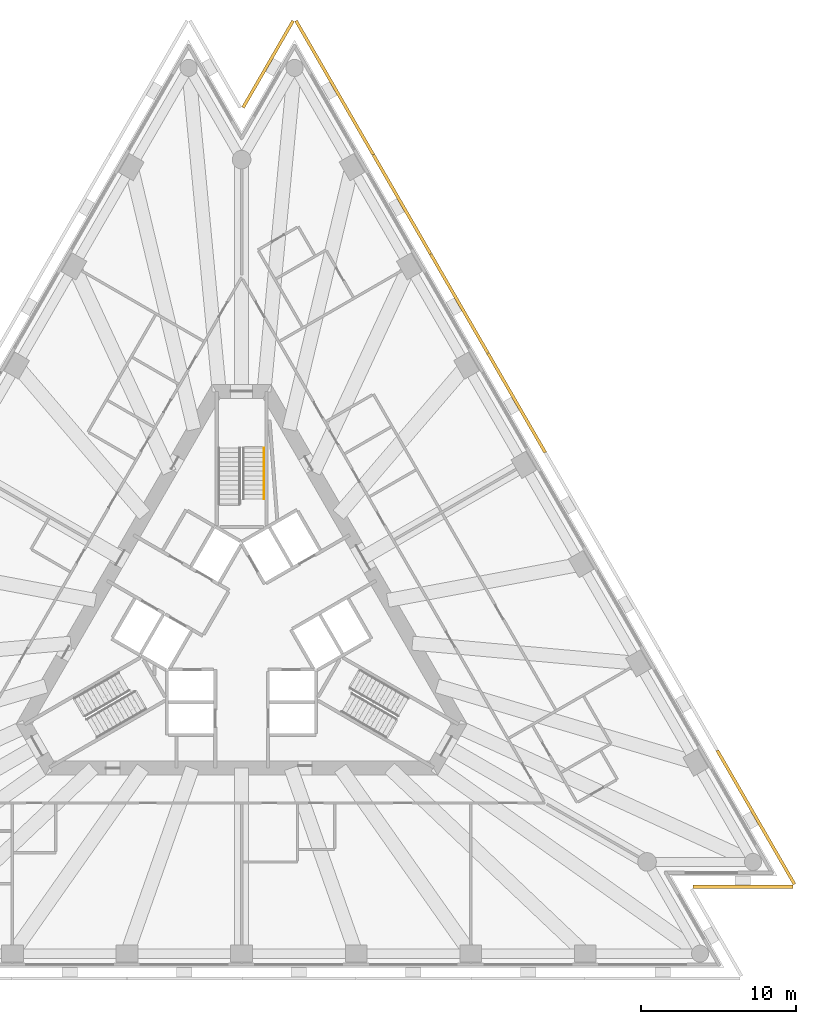
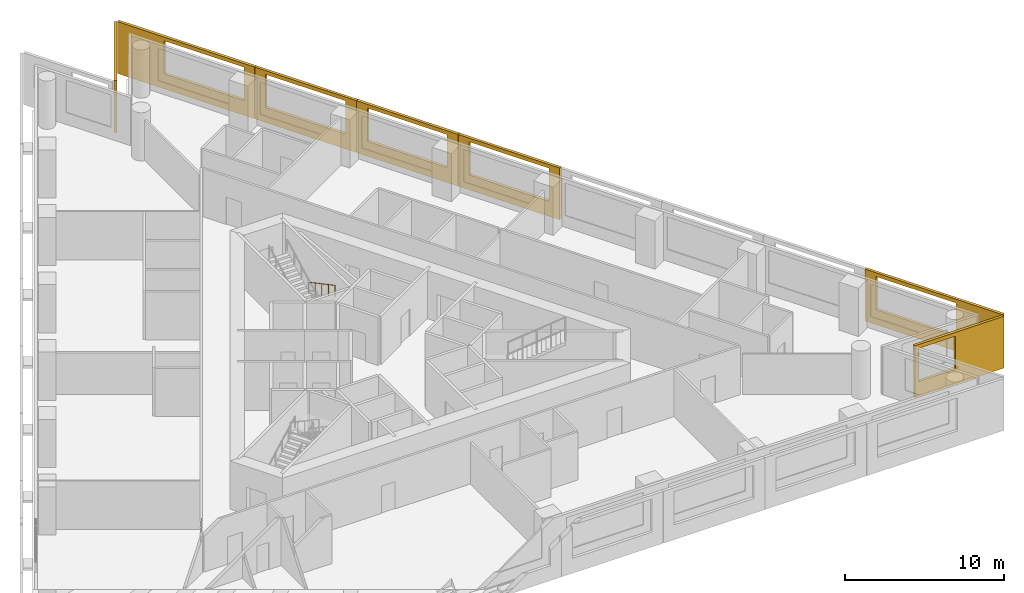
# One storey, part 11 of 11: 7 shading devices, 1 railing, 1 element without a shape of its own.
"""IFC4 building model written with IfcOpenShell, lengths in metres."""

from ifc_helpers import new_model, si_unit, direction, frame, origin, origin_2d, place, context, subcontext, project, spatial, polyline, circle, outline, extrude, material, layer, layer_set, type_object, element, aggregate, save


model = new_model("IFC4")

# Units and contexts
model_context = context("Model", 3, precision=1e-05, world=origin(), true_north=direction((0.0, 1.0)))
body_context = subcontext(model_context, "Body", "Model", "MODEL_VIEW")
ifc_project = project(units=[si_unit("LENGTHUNIT", "METRE"), si_unit("AREAUNIT", "SQUARE_METRE"), si_unit("VOLUMEUNIT", "CUBIC_METRE"), si_unit("PLANEANGLEUNIT", "RADIAN"), si_unit("MASSUNIT", "GRAM", prefix="KILO")], contexts=[model_context])

# Site, building, storey
site_placement = place(None, origin())
site = spatial("IfcSite", under=ifc_project, at=site_placement, CompositionType="ELEMENT")
building_placement = place(site_placement, origin())
building = spatial("IfcBuilding", under=site, at=building_placement, Name="Triada Interchange Tower", CompositionType="ELEMENT")
storey_placement = place(building_placement, frame((0.0, 0.0, 59.300048828125)))
storey = spatial("IfcBuildingStorey", under=building, at=storey_placement, Name="L12", CompositionType="ELEMENT", Elevation=59.300048828125)

# Shading devices
ifc_material_1 = material(Name="Concrete C50/60 precast", Category="concrete")
ifc_layer_1 = layer(ifc_material_1, 0.02001953125, Name="Exposed aggregate face")
ifc_layer_2 = layer(ifc_material_1, 0.179931640625, Name="Precast concrete screen")
ifc_layer_set = layer_set([ifc_layer_1, ifc_layer_2], Name="Outer skin screen panel 3980")
shading_device_type = type_object("IfcShadingDeviceType", Name="Outer skin screen panel 3980", PredefinedType="SHUTTER", material=ifc_layer_set)
shading_device_1_placement = place(storey_placement, frame((29.10498046875, -16.597900390625, -0.2900390625), z_axis=(0.0, 0.0, 1.0), x_axis=(1.0, 0.0, 0.0)))
element("IfcShadingDevice", 1, at=shading_device_1_placement, inside=storey, type_object=shading_device_type, Name="Outer skin screen panel L12 20", PredefinedType="SHUTTER", context=body_context, shape_type="SweptSolid", body=[
    extrude(outline(polyline([(0.0, 0.0), (6.466064453125, 0.0), (6.466064453125, 3.97998046875), (0.0, 3.97998046875), (0.0, 0.0)]), holes=[polyline([(0.300048828125, 1.139892578125), (0.300048828125, 3.68994140625), (2.9580078125, 3.68994140625), (2.9580078125, 1.139892578125), (0.300048828125, 1.139892578125)])]), frame((0.0, 0.0, 0.0), z_axis=(0.0, -1.0, 0.0), x_axis=(1.0, 0.0, 0.0)), (0.0, 0.0, 1.0), 0.199951171875),
])
shading_device_2_placement = place(storey_placement, frame((35.575927734375, -16.589111328125, -0.2900390625), z_axis=(0.0, 0.0, 1.0), x_axis=(-0.500000141972, 0.866025321817, 0.0)))
element("IfcShadingDevice", 2, at=shading_device_2_placement, inside=storey, type_object=shading_device_type, Name="Outer skin screen panel L12 21", PredefinedType="SHUTTER", context=body_context, shape_type="SweptSolid", body=[
    extrude(outline(polyline([(0.0, 0.0), (9.9697265625, 0.0), (9.9697265625, 3.97998046875), (0.0, 3.97998046875), (0.0, 0.0)]), holes=[polyline([(3.38427734375, 1.139892578125), (3.38427734375, 3.68994140625), (9.184326171875, 3.68994140625), (9.184326171875, 1.139892578125), (3.38427734375, 1.139892578125)])]), frame((0.0, 0.0, 0.0), z_axis=(0.0, -1.0, 0.0), x_axis=(1.0, 0.0, 0.0)), (0.0, 0.0, 1.0), 0.199951171875),
])
shading_device_3_placement = place(storey_placement, frame((19.493896484375, 11.26611328125, -0.2900390625), z_axis=(0.0, 0.0, 1.0), x_axis=(-0.500011057729, 0.866019019507, 0.0)))
element("IfcShadingDevice", 3, at=shading_device_3_placement, inside=storey, type_object=shading_device_type, Name="Outer skin screen panel L12 25", PredefinedType="SHUTTER", context=body_context, shape_type="SweptSolid", body=[
    extrude(outline(polyline([(0.0, 0.0), (7.371337890625, 0.0), (7.371337890625, 3.97998046875), (0.0, 3.97998046875), (0.0, 0.0)]), holes=[polyline([(0.785400390625, 1.139892578125), (0.785400390625, 3.68994140625), (6.58544921875, 3.68994140625), (6.58544921875, 1.139892578125), (0.785400390625, 1.139892578125)])]), frame((0.0, 0.0, 0.0), z_axis=(0.0, -1.0, 0.0), x_axis=(1.0, 0.0, 0.0)), (0.0, 0.0, 1.0), 0.199951171875),
])
shading_device_4_placement = place(storey_placement, frame((15.798095703125, 17.66796875, -0.2900390625), z_axis=(0.0, 0.0, 1.0), x_axis=(-0.500021555226, 0.866012958511, 0.0)))
element("IfcShadingDevice", 4, at=shading_device_4_placement, inside=storey, type_object=shading_device_type, Name="Outer skin screen panel L12 26", PredefinedType="SHUTTER", context=body_context, shape_type="SweptSolid", body=[
    extrude(outline(polyline([(0.0, 0.0), (7.371826171875, 0.0), (7.371826171875, 3.97998046875), (0.0, 3.97998046875), (0.0, 0.0)]), holes=[polyline([(0.785888671875, 1.139892578125), (0.785888671875, 3.68994140625), (6.585693359375, 3.68994140625), (6.585693359375, 1.139892578125), (0.785888671875, 1.139892578125)])]), frame((0.0, 0.0, 0.0), z_axis=(0.0, -1.0, 0.0), x_axis=(1.0, 0.0, 0.0)), (0.0, 0.0, 1.0), 0.199951171875),
])
shading_device_5_placement = place(storey_placement, frame((12.10205078125, 24.069091796875, -0.2900390625), z_axis=(0.0, 0.0, 1.0), x_axis=(-0.500035896667, 0.866004677842, 0.0)))
element("IfcShadingDevice", 5, at=shading_device_5_placement, inside=storey, type_object=shading_device_type, Name="Outer skin screen panel L12 27", PredefinedType="SHUTTER", context=body_context, shape_type="SweptSolid", body=[
    extrude(outline(polyline([(0.0, 0.0), (7.37158203125, 0.0), (7.37158203125, 3.97998046875), (0.0, 3.97998046875), (0.0, 0.0)]), holes=[polyline([(0.7861328125, 1.139892578125), (0.7861328125, 3.68994140625), (6.586181640625, 3.68994140625), (6.586181640625, 1.139892578125), (0.7861328125, 1.139892578125)])]), frame((0.0, 0.0, 0.0), z_axis=(0.0, -1.0, 0.0), x_axis=(1.0, 0.0, 0.0)), (0.0, 0.0, 1.0), 0.199951171875),
])
shading_device_6_placement = place(storey_placement, frame((8.406005859375, 30.469970703125, -0.2900390625), z_axis=(0.0, 0.0, 1.0), x_axis=(-0.500018507784, 0.866014718047, 0.0)))
element("IfcShadingDevice", 6, at=shading_device_6_placement, inside=storey, type_object=shading_device_type, Name="Outer skin screen panel L12 28", PredefinedType="SHUTTER", context=body_context, shape_type="SweptSolid", body=[
    extrude(outline(polyline([(0.0, 0.0), (9.9697265625, 0.0), (9.9697265625, 3.97998046875), (0.0, 3.97998046875), (0.0, 0.0)]), holes=[polyline([(0.785400390625, 1.139892578125), (0.785400390625, 3.68994140625), (6.58544921875, 3.68994140625), (6.58544921875, 1.139892578125), (0.785400390625, 1.139892578125)])]), frame((0.0, 0.0, 0.0), z_axis=(0.0, -1.0, 0.0), x_axis=(1.0, 0.0, 0.0)), (0.0, 0.0, 1.0), 0.199951171875),
])
shading_device_7_placement = place(storey_placement, frame((3.410888671875, 39.10400390625, -0.2900390625), z_axis=(0.0, 0.0, 1.0), x_axis=(-0.500029706002, -0.866008252337, 0.0)))
element("IfcShadingDevice", 7, at=shading_device_7_placement, inside=storey, type_object=shading_device_type, Name="Outer skin screen panel L12 29", PredefinedType="SHUTTER", context=body_context, shape_type="SweptSolid", body=[
    extrude(outline(polyline([(0.0, 0.0), (6.46533203125, 0.0), (6.46533203125, 3.97998046875), (0.0, 3.97998046875), (0.0, 0.0)]), holes=[polyline([(3.175537109375, 1.139892578125), (3.175537109375, 3.68994140625), (6.166015625, 3.68994140625), (6.166015625, 1.139892578125), (3.175537109375, 1.139892578125)])]), frame((0.0, 0.0, 0.0), z_axis=(0.0, -1.0, 0.0), x_axis=(1.0, 0.0, 0.0)), (0.0, 0.0, 1.0), 0.199951171875),
])

# Stair, railing
ifc_material_2 = material(Name="Concrete C35/45", Category="concrete")
stair_type = type_object("IfcStairType", Name="HALF TURN STAIR 1400", PredefinedType="HALF_TURN_STAIR", material=ifc_material_2)
stair_placement = place(storey_placement, origin())
stair = element("IfcStair", 8, at=stair_placement, inside=storey, type_object=stair_type, Name="Exit stair S12-1", PredefinedType="HALF_TURN_STAIR")
ifc_material_3 = material(Name="Stainless steel 1.4301", Category="steel")
railing_type = type_object("IfcRailingType", Name="STAIR HANDRAIL 900", PredefinedType="HANDRAIL", material=ifc_material_3)
railing_placement = place(storey_placement, frame((1.449951171875, 11.60009765625, 0.159912109375)))
railing = element("IfcRailing", 9, at=railing_placement, type_object=railing_type, Name="Handrail S12-1 1W", PredefinedType="HANDRAIL", context=body_context, shape_type="SweptSolid", body=[
    extrude(circle(Radius=0.02392578125, at=origin_2d()), frame((0.0, 0.0, 0.8759765625), z_axis=(0.0, -0.882354748157, 0.47058484719), x_axis=(1.0, 0.0, 0.0)), (0.0, 0.0, 1.0), 3.739990234375),
    extrude(circle(Radius=0.02099609375, at=origin_2d()), origin(), (0.0, 0.0, 1.0), 0.851806640625),
    extrude(circle(Radius=0.02099609375, at=origin_2d()), frame((0.0, -0.824951171875, 0.43994140625)), (0.0, 0.0, 1.0), 0.851806640625),
    extrude(circle(Radius=0.02099609375, at=origin_2d()), frame((0.0, -1.64990234375, 0.8798828125)), (0.0, 0.0, 1.0), 0.851806640625),
    extrude(circle(Radius=0.02099609375, at=origin_2d()), frame((0.0, -2.47509765625, 1.320068359375)), (0.0, 0.0, 1.0), 0.851806640625),
    extrude(circle(Radius=0.02099609375, at=origin_2d()), frame((0.0, -3.300048828125, 1.760009765625)), (0.0, 0.0, 1.0), 0.851806640625),
])
aggregate(stair, [railing])

save(model, "model.ifc")
